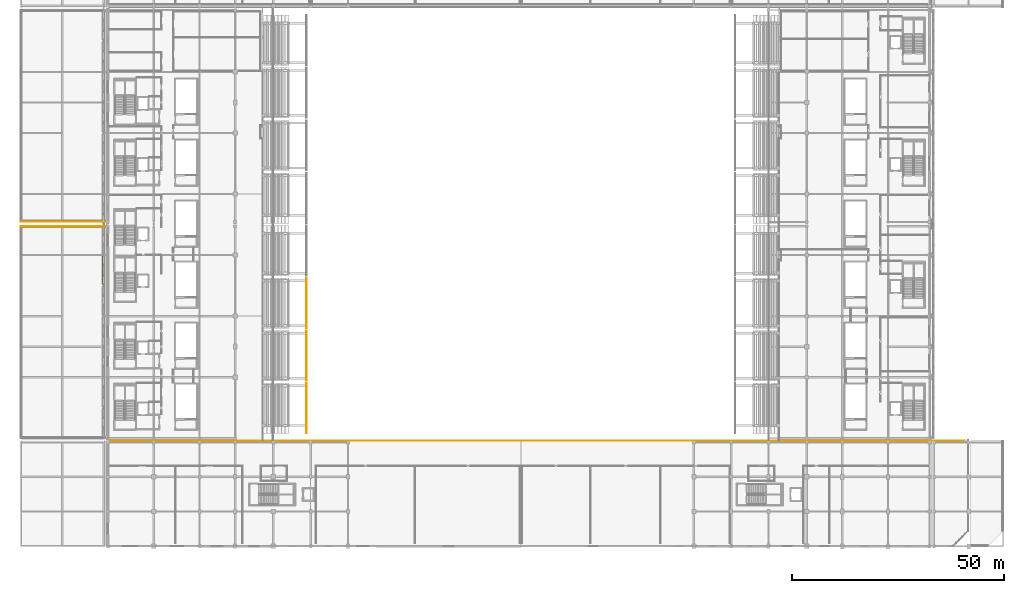
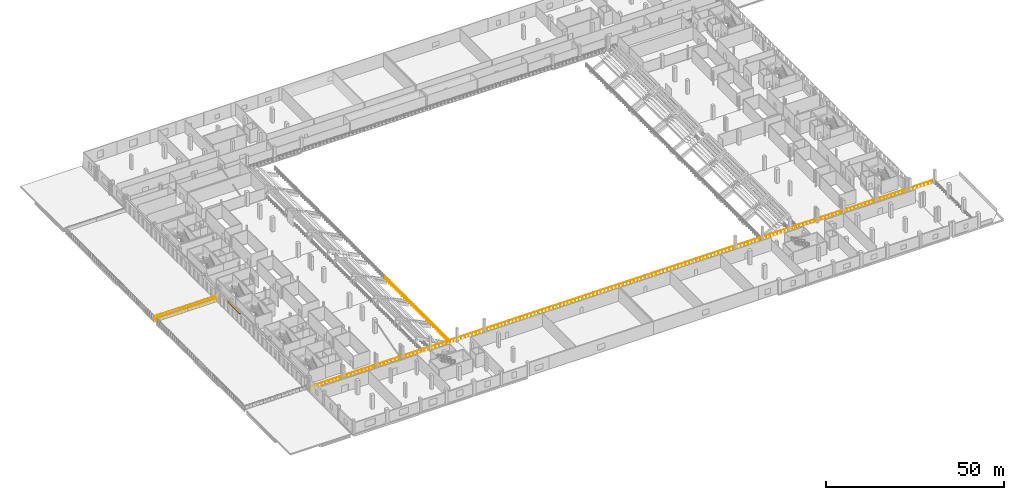
# One storey, part 57 of 74: 6 railings, 1 shading device.
"""IFC4 building model written with IfcOpenShell, lengths in metres."""

from ifc_helpers import new_model, si_unit, direction, frame, origin, origin_2d, place, context, subcontext, project, spatial, rectangle, circle, extrude, material, type_object, element, save


model = new_model("IFC4")

# Units and contexts
model_context = context("Model", 3, precision=1e-05, world=origin(), true_north=direction((0.0, 1.0)))
body_context = subcontext(model_context, "Body", "Model", "MODEL_VIEW")
ifc_project = project(units=[si_unit("LENGTHUNIT", "METRE"), si_unit("AREAUNIT", "SQUARE_METRE"), si_unit("VOLUMEUNIT", "CUBIC_METRE"), si_unit("PLANEANGLEUNIT", "RADIAN"), si_unit("MASSUNIT", "GRAM", prefix="KILO")], contexts=[model_context])

# Site, building, storey
site_placement = place(None, origin())
site = spatial("IfcSite", under=ifc_project, at=site_placement, CompositionType="ELEMENT")
building_placement = place(site_placement, origin())
building = spatial("IfcBuilding", under=site, at=building_placement, Name="Koshinbarg Plaza Stadium", CompositionType="ELEMENT")
storey_placement = place(building_placement, frame((0.0, 0.0, 15.0)))
storey = spatial("IfcBuildingStorey", under=building, at=storey_placement, Name="L03", CompositionType="ELEMENT", Elevation=15.0)

# Railings
ifc_material_1 = material(Name="Toughened laminated glass and stainless steel sightline balustrade", Category="steel")
railing_type_1 = type_object("IfcRailingType", Name="RL-BOWL-1100", PredefinedType="BALUSTRADE", material=ifc_material_1)
railing_1_placement = place(storey_placement, frame((25.0, 24.8798828125, 0.0)))
element("IfcRailing", 1, at=railing_1_placement, inside=storey, type_object=railing_type_1, Name="L03 bowl concourse sightline balustrade 0025", PredefinedType="BALUSTRADE", context=body_context, shape_type="SweptSolid", body=[
    extrude(circle(Radius=0.02392578125, at=origin_2d()), frame((0.0, 0.0, 1.076171875), z_axis=(1.0, 0.0, 0.0), x_axis=(0.0, 1.0, 0.0)), (0.0, 0.0, 1.0), 201.800048828125),
    extrude(circle(Radius=0.02099609375, at=origin_2d()), origin(), (0.0, 0.0, 1.0), 1.052001953125),
    extrude(circle(Radius=0.02099609375, at=origin_2d()), frame((1.194091796875, 0.0, 0.0)), (0.0, 0.0, 1.0), 1.052001953125),
    extrude(circle(Radius=0.02099609375, at=origin_2d()), frame((2.38818359375, 0.0, 0.0)), (0.0, 0.0, 1.0), 1.052001953125),
    extrude(circle(Radius=0.02099609375, at=origin_2d()), frame((3.582275390625, 0.0, 0.0)), (0.0, 0.0, 1.0), 1.052001953125),
    extrude(circle(Radius=0.02099609375, at=origin_2d()), frame((4.7763671875, 0.0, 0.0)), (0.0, 0.0, 1.0), 1.052001953125),
    extrude(circle(Radius=0.02099609375, at=origin_2d()), frame((5.970458984375, 0.0, 0.0)), (0.0, 0.0, 1.0), 1.052001953125),
    extrude(circle(Radius=0.02099609375, at=origin_2d()), frame((7.16455078125, 0.0, 0.0)), (0.0, 0.0, 1.0), 1.052001953125),
    extrude(circle(Radius=0.02099609375, at=origin_2d()), frame((8.358642578125, 0.0, 0.0)), (0.0, 0.0, 1.0), 1.052001953125),
    extrude(circle(Radius=0.02099609375, at=origin_2d()), frame((9.552734375, 0.0, 0.0)), (0.0, 0.0, 1.0), 1.052001953125),
    extrude(circle(Radius=0.02099609375, at=origin_2d()), frame((10.746826171875, 0.0, 0.0)), (0.0, 0.0, 1.0), 1.052001953125),
    extrude(circle(Radius=0.02099609375, at=origin_2d()), frame((11.94091796875, 0.0, 0.0)), (0.0, 0.0, 1.0), 1.052001953125),
    extrude(circle(Radius=0.02099609375, at=origin_2d()), frame((13.135009765625, 0.0, 0.0)), (0.0, 0.0, 1.0), 1.052001953125),
    extrude(circle(Radius=0.02099609375, at=origin_2d()), frame((14.3291015625, 0.0, 0.0)), (0.0, 0.0, 1.0), 1.052001953125),
    extrude(circle(Radius=0.02099609375, at=origin_2d()), frame((15.523193359375, 0.0, 0.0)), (0.0, 0.0, 1.0), 1.052001953125),
    extrude(circle(Radius=0.02099609375, at=origin_2d()), frame((16.71728515625, 0.0, 0.0)), (0.0, 0.0, 1.0), 1.052001953125),
    extrude(circle(Radius=0.02099609375, at=origin_2d()), frame((17.9111328125, 0.0, 0.0)), (0.0, 0.0, 1.0), 1.052001953125),
    extrude(circle(Radius=0.02099609375, at=origin_2d()), frame((19.105224609375, 0.0, 0.0)), (0.0, 0.0, 1.0), 1.052001953125),
    extrude(circle(Radius=0.02099609375, at=origin_2d()), frame((20.29931640625, 0.0, 0.0)), (0.0, 0.0, 1.0), 1.052001953125),
    extrude(circle(Radius=0.02099609375, at=origin_2d()), frame((21.493408203125, 0.0, 0.0)), (0.0, 0.0, 1.0), 1.052001953125),
    extrude(circle(Radius=0.02099609375, at=origin_2d()), frame((22.6875, 0.0, 0.0)), (0.0, 0.0, 1.0), 1.052001953125),
    extrude(circle(Radius=0.02099609375, at=origin_2d()), frame((23.881591796875, 0.0, 0.0)), (0.0, 0.0, 1.0), 1.052001953125),
    extrude(circle(Radius=0.02099609375, at=origin_2d()), frame((25.07568359375, 0.0, 0.0)), (0.0, 0.0, 1.0), 1.052001953125),
    extrude(circle(Radius=0.02099609375, at=origin_2d()), frame((26.269775390625, 0.0, 0.0)), (0.0, 0.0, 1.0), 1.052001953125),
    extrude(circle(Radius=0.02099609375, at=origin_2d()), frame((27.4638671875, 0.0, 0.0)), (0.0, 0.0, 1.0), 1.052001953125),
    extrude(circle(Radius=0.02099609375, at=origin_2d()), frame((28.657958984375, 0.0, 0.0)), (0.0, 0.0, 1.0), 1.052001953125),
    extrude(circle(Radius=0.02099609375, at=origin_2d()), frame((29.85205078125, 0.0, 0.0)), (0.0, 0.0, 1.0), 1.052001953125),
    extrude(circle(Radius=0.02099609375, at=origin_2d()), frame((31.046142578125, 0.0, 0.0)), (0.0, 0.0, 1.0), 1.052001953125),
    extrude(circle(Radius=0.02099609375, at=origin_2d()), frame((32.240234375, 0.0, 0.0)), (0.0, 0.0, 1.0), 1.052001953125),
    extrude(circle(Radius=0.02099609375, at=origin_2d()), frame((33.434326171875, 0.0, 0.0)), (0.0, 0.0, 1.0), 1.052001953125),
    extrude(circle(Radius=0.02099609375, at=origin_2d()), frame((34.62841796875, 0.0, 0.0)), (0.0, 0.0, 1.0), 1.052001953125),
    extrude(circle(Radius=0.02099609375, at=origin_2d()), frame((35.822509765625, 0.0, 0.0)), (0.0, 0.0, 1.0), 1.052001953125),
    extrude(circle(Radius=0.02099609375, at=origin_2d()), frame((37.0166015625, 0.0, 0.0)), (0.0, 0.0, 1.0), 1.052001953125),
    extrude(circle(Radius=0.02099609375, at=origin_2d()), frame((38.210693359375, 0.0, 0.0)), (0.0, 0.0, 1.0), 1.052001953125),
    extrude(circle(Radius=0.02099609375, at=origin_2d()), frame((39.40478515625, 0.0, 0.0)), (0.0, 0.0, 1.0), 1.052001953125),
    extrude(circle(Radius=0.02099609375, at=origin_2d()), frame((40.598876953125, 0.0, 0.0)), (0.0, 0.0, 1.0), 1.052001953125),
    extrude(circle(Radius=0.02099609375, at=origin_2d()), frame((41.79296875, 0.0, 0.0)), (0.0, 0.0, 1.0), 1.052001953125),
    extrude(circle(Radius=0.02099609375, at=origin_2d()), frame((42.987060546875, 0.0, 0.0)), (0.0, 0.0, 1.0), 1.052001953125),
    extrude(circle(Radius=0.02099609375, at=origin_2d()), frame((44.18115234375, 0.0, 0.0)), (0.0, 0.0, 1.0), 1.052001953125),
    extrude(circle(Radius=0.02099609375, at=origin_2d()), frame((45.375244140625, 0.0, 0.0)), (0.0, 0.0, 1.0), 1.052001953125),
    extrude(circle(Radius=0.02099609375, at=origin_2d()), frame((46.5693359375, 0.0, 0.0)), (0.0, 0.0, 1.0), 1.052001953125),
    extrude(circle(Radius=0.02099609375, at=origin_2d()), frame((47.763427734375, 0.0, 0.0)), (0.0, 0.0, 1.0), 1.052001953125),
    extrude(circle(Radius=0.02099609375, at=origin_2d()), frame((48.95751953125, 0.0, 0.0)), (0.0, 0.0, 1.0), 1.052001953125),
    extrude(circle(Radius=0.02099609375, at=origin_2d()), frame((50.151611328125, 0.0, 0.0)), (0.0, 0.0, 1.0), 1.052001953125),
    extrude(circle(Radius=0.02099609375, at=origin_2d()), frame((51.345458984375, 0.0, 0.0)), (0.0, 0.0, 1.0), 1.052001953125),
    extrude(circle(Radius=0.02099609375, at=origin_2d()), frame((52.53955078125, 0.0, 0.0)), (0.0, 0.0, 1.0), 1.052001953125),
    extrude(circle(Radius=0.02099609375, at=origin_2d()), frame((53.733642578125, 0.0, 0.0)), (0.0, 0.0, 1.0), 1.052001953125),
    extrude(circle(Radius=0.02099609375, at=origin_2d()), frame((54.927734375, 0.0, 0.0)), (0.0, 0.0, 1.0), 1.052001953125),
    extrude(circle(Radius=0.02099609375, at=origin_2d()), frame((56.121826171875, 0.0, 0.0)), (0.0, 0.0, 1.0), 1.052001953125),
    extrude(circle(Radius=0.02099609375, at=origin_2d()), frame((57.31591796875, 0.0, 0.0)), (0.0, 0.0, 1.0), 1.052001953125),
    extrude(circle(Radius=0.02099609375, at=origin_2d()), frame((58.510009765625, 0.0, 0.0)), (0.0, 0.0, 1.0), 1.052001953125),
    extrude(circle(Radius=0.02099609375, at=origin_2d()), frame((59.7041015625, 0.0, 0.0)), (0.0, 0.0, 1.0), 1.052001953125),
    extrude(circle(Radius=0.02099609375, at=origin_2d()), frame((60.898193359375, 0.0, 0.0)), (0.0, 0.0, 1.0), 1.052001953125),
    extrude(circle(Radius=0.02099609375, at=origin_2d()), frame((62.09228515625, 0.0, 0.0)), (0.0, 0.0, 1.0), 1.052001953125),
    extrude(circle(Radius=0.02099609375, at=origin_2d()), frame((63.286376953125, 0.0, 0.0)), (0.0, 0.0, 1.0), 1.052001953125),
    extrude(circle(Radius=0.02099609375, at=origin_2d()), frame((64.48046875, 0.0, 0.0)), (0.0, 0.0, 1.0), 1.052001953125),
    extrude(circle(Radius=0.02099609375, at=origin_2d()), frame((65.674560546875, 0.0, 0.0)), (0.0, 0.0, 1.0), 1.052001953125),
    extrude(circle(Radius=0.02099609375, at=origin_2d()), frame((66.86865234375, 0.0, 0.0)), (0.0, 0.0, 1.0), 1.052001953125),
    extrude(circle(Radius=0.02099609375, at=origin_2d()), frame((68.062744140625, 0.0, 0.0)), (0.0, 0.0, 1.0), 1.052001953125),
    extrude(circle(Radius=0.02099609375, at=origin_2d()), frame((69.2568359375, 0.0, 0.0)), (0.0, 0.0, 1.0), 1.052001953125),
    extrude(circle(Radius=0.02099609375, at=origin_2d()), frame((70.450927734375, 0.0, 0.0)), (0.0, 0.0, 1.0), 1.052001953125),
    extrude(circle(Radius=0.02099609375, at=origin_2d()), frame((71.64501953125, 0.0, 0.0)), (0.0, 0.0, 1.0), 1.052001953125),
    extrude(circle(Radius=0.02099609375, at=origin_2d()), frame((72.839111328125, 0.0, 0.0)), (0.0, 0.0, 1.0), 1.052001953125),
    extrude(circle(Radius=0.02099609375, at=origin_2d()), frame((74.033203125, 0.0, 0.0)), (0.0, 0.0, 1.0), 1.052001953125),
    extrude(circle(Radius=0.02099609375, at=origin_2d()), frame((75.227294921875, 0.0, 0.0)), (0.0, 0.0, 1.0), 1.052001953125),
    extrude(circle(Radius=0.02099609375, at=origin_2d()), frame((76.42138671875, 0.0, 0.0)), (0.0, 0.0, 1.0), 1.052001953125),
    extrude(circle(Radius=0.02099609375, at=origin_2d()), frame((77.615478515625, 0.0, 0.0)), (0.0, 0.0, 1.0), 1.052001953125),
    extrude(circle(Radius=0.02099609375, at=origin_2d()), frame((78.8095703125, 0.0, 0.0)), (0.0, 0.0, 1.0), 1.052001953125),
    extrude(circle(Radius=0.02099609375, at=origin_2d()), frame((80.003662109375, 0.0, 0.0)), (0.0, 0.0, 1.0), 1.052001953125),
    extrude(circle(Radius=0.02099609375, at=origin_2d()), frame((81.19775390625, 0.0, 0.0)), (0.0, 0.0, 1.0), 1.052001953125),
    extrude(circle(Radius=0.02099609375, at=origin_2d()), frame((82.391845703125, 0.0, 0.0)), (0.0, 0.0, 1.0), 1.052001953125),
    extrude(circle(Radius=0.02099609375, at=origin_2d()), frame((83.5859375, 0.0, 0.0)), (0.0, 0.0, 1.0), 1.052001953125),
    extrude(circle(Radius=0.02099609375, at=origin_2d()), frame((84.77978515625, 0.0, 0.0)), (0.0, 0.0, 1.0), 1.052001953125),
    extrude(circle(Radius=0.02099609375, at=origin_2d()), frame((85.973876953125, 0.0, 0.0)), (0.0, 0.0, 1.0), 1.052001953125),
    extrude(circle(Radius=0.02099609375, at=origin_2d()), frame((87.16796875, 0.0, 0.0)), (0.0, 0.0, 1.0), 1.052001953125),
    extrude(circle(Radius=0.02099609375, at=origin_2d()), frame((88.362060546875, 0.0, 0.0)), (0.0, 0.0, 1.0), 1.052001953125),
    extrude(circle(Radius=0.02099609375, at=origin_2d()), frame((89.55615234375, 0.0, 0.0)), (0.0, 0.0, 1.0), 1.052001953125),
    extrude(circle(Radius=0.02099609375, at=origin_2d()), frame((90.750244140625, 0.0, 0.0)), (0.0, 0.0, 1.0), 1.052001953125),
    extrude(circle(Radius=0.02099609375, at=origin_2d()), frame((91.9443359375, 0.0, 0.0)), (0.0, 0.0, 1.0), 1.052001953125),
    extrude(circle(Radius=0.02099609375, at=origin_2d()), frame((93.138427734375, 0.0, 0.0)), (0.0, 0.0, 1.0), 1.052001953125),
    extrude(circle(Radius=0.02099609375, at=origin_2d()), frame((94.33251953125, 0.0, 0.0)), (0.0, 0.0, 1.0), 1.052001953125),
    extrude(circle(Radius=0.02099609375, at=origin_2d()), frame((95.526611328125, 0.0, 0.0)), (0.0, 0.0, 1.0), 1.052001953125),
    extrude(circle(Radius=0.02099609375, at=origin_2d()), frame((96.720703125, 0.0, 0.0)), (0.0, 0.0, 1.0), 1.052001953125),
    extrude(circle(Radius=0.02099609375, at=origin_2d()), frame((97.914794921875, 0.0, 0.0)), (0.0, 0.0, 1.0), 1.052001953125),
    extrude(circle(Radius=0.02099609375, at=origin_2d()), frame((99.10888671875, 0.0, 0.0)), (0.0, 0.0, 1.0), 1.052001953125),
    extrude(circle(Radius=0.02099609375, at=origin_2d()), frame((100.302978515625, 0.0, 0.0)), (0.0, 0.0, 1.0), 1.052001953125),
    extrude(circle(Radius=0.02099609375, at=origin_2d()), frame((101.4970703125, 0.0, 0.0)), (0.0, 0.0, 1.0), 1.052001953125),
    extrude(circle(Radius=0.02099609375, at=origin_2d()), frame((102.691162109375, 0.0, 0.0)), (0.0, 0.0, 1.0), 1.052001953125),
    extrude(circle(Radius=0.02099609375, at=origin_2d()), frame((103.88525390625, 0.0, 0.0)), (0.0, 0.0, 1.0), 1.052001953125),
    extrude(circle(Radius=0.02099609375, at=origin_2d()), frame((105.079345703125, 0.0, 0.0)), (0.0, 0.0, 1.0), 1.052001953125),
    extrude(circle(Radius=0.02099609375, at=origin_2d()), frame((106.2734375, 0.0, 0.0)), (0.0, 0.0, 1.0), 1.052001953125),
    extrude(circle(Radius=0.02099609375, at=origin_2d()), frame((107.467529296875, 0.0, 0.0)), (0.0, 0.0, 1.0), 1.052001953125),
    extrude(circle(Radius=0.02099609375, at=origin_2d()), frame((108.66162109375, 0.0, 0.0)), (0.0, 0.0, 1.0), 1.052001953125),
    extrude(circle(Radius=0.02099609375, at=origin_2d()), frame((109.855712890625, 0.0, 0.0)), (0.0, 0.0, 1.0), 1.052001953125),
    extrude(circle(Radius=0.02099609375, at=origin_2d()), frame((111.0498046875, 0.0, 0.0)), (0.0, 0.0, 1.0), 1.052001953125),
    extrude(circle(Radius=0.02099609375, at=origin_2d()), frame((112.243896484375, 0.0, 0.0)), (0.0, 0.0, 1.0), 1.052001953125),
    extrude(circle(Radius=0.02099609375, at=origin_2d()), frame((113.43798828125, 0.0, 0.0)), (0.0, 0.0, 1.0), 1.052001953125),
    extrude(circle(Radius=0.02099609375, at=origin_2d()), frame((114.632080078125, 0.0, 0.0)), (0.0, 0.0, 1.0), 1.052001953125),
    extrude(circle(Radius=0.02099609375, at=origin_2d()), frame((115.826171875, 0.0, 0.0)), (0.0, 0.0, 1.0), 1.052001953125),
    extrude(circle(Radius=0.02099609375, at=origin_2d()), frame((117.020263671875, 0.0, 0.0)), (0.0, 0.0, 1.0), 1.052001953125),
    extrude(circle(Radius=0.02099609375, at=origin_2d()), frame((118.214111328125, 0.0, 0.0)), (0.0, 0.0, 1.0), 1.052001953125),
    extrude(circle(Radius=0.02099609375, at=origin_2d()), frame((119.408203125, 0.0, 0.0)), (0.0, 0.0, 1.0), 1.052001953125),
    extrude(circle(Radius=0.02099609375, at=origin_2d()), frame((120.602294921875, 0.0, 0.0)), (0.0, 0.0, 1.0), 1.052001953125),
    extrude(circle(Radius=0.02099609375, at=origin_2d()), frame((121.79638671875, 0.0, 0.0)), (0.0, 0.0, 1.0), 1.052001953125),
    extrude(circle(Radius=0.02099609375, at=origin_2d()), frame((122.990478515625, 0.0, 0.0)), (0.0, 0.0, 1.0), 1.052001953125),
    extrude(circle(Radius=0.02099609375, at=origin_2d()), frame((124.1845703125, 0.0, 0.0)), (0.0, 0.0, 1.0), 1.052001953125),
    extrude(circle(Radius=0.02099609375, at=origin_2d()), frame((125.378662109375, 0.0, 0.0)), (0.0, 0.0, 1.0), 1.052001953125),
    extrude(circle(Radius=0.02099609375, at=origin_2d()), frame((126.57275390625, 0.0, 0.0)), (0.0, 0.0, 1.0), 1.052001953125),
    extrude(circle(Radius=0.02099609375, at=origin_2d()), frame((127.766845703125, 0.0, 0.0)), (0.0, 0.0, 1.0), 1.052001953125),
    extrude(circle(Radius=0.02099609375, at=origin_2d()), frame((128.9609375, 0.0, 0.0)), (0.0, 0.0, 1.0), 1.052001953125),
    extrude(circle(Radius=0.02099609375, at=origin_2d()), frame((130.155029296875, 0.0, 0.0)), (0.0, 0.0, 1.0), 1.052001953125),
    extrude(circle(Radius=0.02099609375, at=origin_2d()), frame((131.34912109375, 0.0, 0.0)), (0.0, 0.0, 1.0), 1.052001953125),
    extrude(circle(Radius=0.02099609375, at=origin_2d()), frame((132.543212890625, 0.0, 0.0)), (0.0, 0.0, 1.0), 1.052001953125),
    extrude(circle(Radius=0.02099609375, at=origin_2d()), frame((133.7373046875, 0.0, 0.0)), (0.0, 0.0, 1.0), 1.052001953125),
    extrude(circle(Radius=0.02099609375, at=origin_2d()), frame((134.931396484375, 0.0, 0.0)), (0.0, 0.0, 1.0), 1.052001953125),
    extrude(circle(Radius=0.02099609375, at=origin_2d()), frame((136.12548828125, 0.0, 0.0)), (0.0, 0.0, 1.0), 1.052001953125),
    extrude(circle(Radius=0.02099609375, at=origin_2d()), frame((137.319580078125, 0.0, 0.0)), (0.0, 0.0, 1.0), 1.052001953125),
    extrude(circle(Radius=0.02099609375, at=origin_2d()), frame((138.513671875, 0.0, 0.0)), (0.0, 0.0, 1.0), 1.052001953125),
    extrude(circle(Radius=0.02099609375, at=origin_2d()), frame((139.707763671875, 0.0, 0.0)), (0.0, 0.0, 1.0), 1.052001953125),
    extrude(circle(Radius=0.02099609375, at=origin_2d()), frame((140.90185546875, 0.0, 0.0)), (0.0, 0.0, 1.0), 1.052001953125),
    extrude(circle(Radius=0.02099609375, at=origin_2d()), frame((142.095947265625, 0.0, 0.0)), (0.0, 0.0, 1.0), 1.052001953125),
    extrude(circle(Radius=0.02099609375, at=origin_2d()), frame((143.2900390625, 0.0, 0.0)), (0.0, 0.0, 1.0), 1.052001953125),
    extrude(circle(Radius=0.02099609375, at=origin_2d()), frame((144.484130859375, 0.0, 0.0)), (0.0, 0.0, 1.0), 1.052001953125),
    extrude(circle(Radius=0.02099609375, at=origin_2d()), frame((145.67822265625, 0.0, 0.0)), (0.0, 0.0, 1.0), 1.052001953125),
    extrude(circle(Radius=0.02099609375, at=origin_2d()), frame((146.872314453125, 0.0, 0.0)), (0.0, 0.0, 1.0), 1.052001953125),
    extrude(circle(Radius=0.02099609375, at=origin_2d()), frame((148.06640625, 0.0, 0.0)), (0.0, 0.0, 1.0), 1.052001953125),
    extrude(circle(Radius=0.02099609375, at=origin_2d()), frame((149.260498046875, 0.0, 0.0)), (0.0, 0.0, 1.0), 1.052001953125),
    extrude(circle(Radius=0.02099609375, at=origin_2d()), frame((150.45458984375, 0.0, 0.0)), (0.0, 0.0, 1.0), 1.052001953125),
    extrude(circle(Radius=0.02099609375, at=origin_2d()), frame((151.6484375, 0.0, 0.0)), (0.0, 0.0, 1.0), 1.052001953125),
    extrude(circle(Radius=0.02099609375, at=origin_2d()), frame((152.842529296875, 0.0, 0.0)), (0.0, 0.0, 1.0), 1.052001953125),
    extrude(circle(Radius=0.02099609375, at=origin_2d()), frame((154.03662109375, 0.0, 0.0)), (0.0, 0.0, 1.0), 1.052001953125),
    extrude(circle(Radius=0.02099609375, at=origin_2d()), frame((155.230712890625, 0.0, 0.0)), (0.0, 0.0, 1.0), 1.052001953125),
    extrude(circle(Radius=0.02099609375, at=origin_2d()), frame((156.4248046875, 0.0, 0.0)), (0.0, 0.0, 1.0), 1.052001953125),
    extrude(circle(Radius=0.02099609375, at=origin_2d()), frame((157.618896484375, 0.0, 0.0)), (0.0, 0.0, 1.0), 1.052001953125),
    extrude(circle(Radius=0.02099609375, at=origin_2d()), frame((158.81298828125, 0.0, 0.0)), (0.0, 0.0, 1.0), 1.052001953125),
    extrude(circle(Radius=0.02099609375, at=origin_2d()), frame((160.007080078125, 0.0, 0.0)), (0.0, 0.0, 1.0), 1.052001953125),
    extrude(circle(Radius=0.02099609375, at=origin_2d()), frame((161.201171875, 0.0, 0.0)), (0.0, 0.0, 1.0), 1.052001953125),
    extrude(circle(Radius=0.02099609375, at=origin_2d()), frame((162.395263671875, 0.0, 0.0)), (0.0, 0.0, 1.0), 1.052001953125),
    extrude(circle(Radius=0.02099609375, at=origin_2d()), frame((163.58935546875, 0.0, 0.0)), (0.0, 0.0, 1.0), 1.052001953125),
    extrude(circle(Radius=0.02099609375, at=origin_2d()), frame((164.783447265625, 0.0, 0.0)), (0.0, 0.0, 1.0), 1.052001953125),
    extrude(circle(Radius=0.02099609375, at=origin_2d()), frame((165.9775390625, 0.0, 0.0)), (0.0, 0.0, 1.0), 1.052001953125),
    extrude(circle(Radius=0.02099609375, at=origin_2d()), frame((167.171630859375, 0.0, 0.0)), (0.0, 0.0, 1.0), 1.052001953125),
    extrude(circle(Radius=0.02099609375, at=origin_2d()), frame((168.36572265625, 0.0, 0.0)), (0.0, 0.0, 1.0), 1.052001953125),
    extrude(circle(Radius=0.02099609375, at=origin_2d()), frame((169.559814453125, 0.0, 0.0)), (0.0, 0.0, 1.0), 1.052001953125),
    extrude(circle(Radius=0.02099609375, at=origin_2d()), frame((170.75390625, 0.0, 0.0)), (0.0, 0.0, 1.0), 1.052001953125),
    extrude(circle(Radius=0.02099609375, at=origin_2d()), frame((171.947998046875, 0.0, 0.0)), (0.0, 0.0, 1.0), 1.052001953125),
    extrude(circle(Radius=0.02099609375, at=origin_2d()), frame((173.14208984375, 0.0, 0.0)), (0.0, 0.0, 1.0), 1.052001953125),
    extrude(circle(Radius=0.02099609375, at=origin_2d()), frame((174.336181640625, 0.0, 0.0)), (0.0, 0.0, 1.0), 1.052001953125),
    extrude(circle(Radius=0.02099609375, at=origin_2d()), frame((175.5302734375, 0.0, 0.0)), (0.0, 0.0, 1.0), 1.052001953125),
    extrude(circle(Radius=0.02099609375, at=origin_2d()), frame((176.724365234375, 0.0, 0.0)), (0.0, 0.0, 1.0), 1.052001953125),
    extrude(circle(Radius=0.02099609375, at=origin_2d()), frame((177.91845703125, 0.0, 0.0)), (0.0, 0.0, 1.0), 1.052001953125),
    extrude(circle(Radius=0.02099609375, at=origin_2d()), frame((179.112548828125, 0.0, 0.0)), (0.0, 0.0, 1.0), 1.052001953125),
    extrude(circle(Radius=0.02099609375, at=origin_2d()), frame((180.306640625, 0.0, 0.0)), (0.0, 0.0, 1.0), 1.052001953125),
    extrude(circle(Radius=0.02099609375, at=origin_2d()), frame((181.500732421875, 0.0, 0.0)), (0.0, 0.0, 1.0), 1.052001953125),
    extrude(circle(Radius=0.02099609375, at=origin_2d()), frame((182.69482421875, 0.0, 0.0)), (0.0, 0.0, 1.0), 1.052001953125),
    extrude(circle(Radius=0.02099609375, at=origin_2d()), frame((183.888916015625, 0.0, 0.0)), (0.0, 0.0, 1.0), 1.052001953125),
    extrude(circle(Radius=0.02099609375, at=origin_2d()), frame((185.082763671875, 0.0, 0.0)), (0.0, 0.0, 1.0), 1.052001953125),
    extrude(circle(Radius=0.02099609375, at=origin_2d()), frame((186.27685546875, 0.0, 0.0)), (0.0, 0.0, 1.0), 1.052001953125),
    extrude(circle(Radius=0.02099609375, at=origin_2d()), frame((187.470947265625, 0.0, 0.0)), (0.0, 0.0, 1.0), 1.052001953125),
    extrude(circle(Radius=0.02099609375, at=origin_2d()), frame((188.6650390625, 0.0, 0.0)), (0.0, 0.0, 1.0), 1.052001953125),
    extrude(circle(Radius=0.02099609375, at=origin_2d()), frame((189.859130859375, 0.0, 0.0)), (0.0, 0.0, 1.0), 1.052001953125),
    extrude(circle(Radius=0.02099609375, at=origin_2d()), frame((191.05322265625, 0.0, 0.0)), (0.0, 0.0, 1.0), 1.052001953125),
    extrude(circle(Radius=0.02099609375, at=origin_2d()), frame((192.247314453125, 0.0, 0.0)), (0.0, 0.0, 1.0), 1.052001953125),
    extrude(circle(Radius=0.02099609375, at=origin_2d()), frame((193.44140625, 0.0, 0.0)), (0.0, 0.0, 1.0), 1.052001953125),
    extrude(circle(Radius=0.02099609375, at=origin_2d()), frame((194.635498046875, 0.0, 0.0)), (0.0, 0.0, 1.0), 1.052001953125),
    extrude(circle(Radius=0.02099609375, at=origin_2d()), frame((195.82958984375, 0.0, 0.0)), (0.0, 0.0, 1.0), 1.052001953125),
    extrude(circle(Radius=0.02099609375, at=origin_2d()), frame((197.023681640625, 0.0, 0.0)), (0.0, 0.0, 1.0), 1.052001953125),
    extrude(circle(Radius=0.02099609375, at=origin_2d()), frame((198.2177734375, 0.0, 0.0)), (0.0, 0.0, 1.0), 1.052001953125),
    extrude(circle(Radius=0.02099609375, at=origin_2d()), frame((199.411865234375, 0.0, 0.0)), (0.0, 0.0, 1.0), 1.052001953125),
    extrude(circle(Radius=0.02099609375, at=origin_2d()), frame((200.60595703125, 0.0, 0.0)), (0.0, 0.0, 1.0), 1.052001953125),
    extrude(circle(Radius=0.02099609375, at=origin_2d()), frame((201.800048828125, 0.0, 0.0)), (0.0, 0.0, 1.0), 1.052001953125),
])
for number, where, name in (
    (2, (71.419921875, 26.679931640625, -1.780029296875), "UT-W01 front stand crowd barrier"),
    (3, (71.419921875, 39.080078125, -1.780029296875), "UT-W02 front stand crowd barrier"),
    (4, (71.419921875, 51.47998046875, -1.780029296875), "UT-W03 front stand crowd barrier"),
):
    element("IfcRailing", number, at=place(storey_placement, frame(where)), inside=storey, type_object=railing_type_1, Name=name, PredefinedType="BALUSTRADE", context=body_context, shape_type="SweptSolid", body=[
        extrude(circle(Radius=0.02392578125, at=origin_2d()), frame((0.0, 0.0, 1.076171875), z_axis=(0.0, 1.0, 0.0), x_axis=(-1.0, 0.0, 0.0)), (0.0, 0.0, 1.0), 11.739990234375),
        extrude(circle(Radius=0.02099609375, at=origin_2d()), origin(), (0.0, 0.0, 1.0), 1.052001953125),
        extrude(circle(Radius=0.02099609375, at=origin_2d()), frame((0.0, 1.174072265625, 0.0)), (0.0, 0.0, 1.0), 1.052001953125),
        extrude(circle(Radius=0.02099609375, at=origin_2d()), frame((0.0, 2.347900390625, 0.0)), (0.0, 0.0, 1.0), 1.052001953125),
        extrude(circle(Radius=0.02099609375, at=origin_2d()), frame((0.0, 3.52197265625, 0.0)), (0.0, 0.0, 1.0), 1.052001953125),
        extrude(circle(Radius=0.02099609375, at=origin_2d()), frame((0.0, 4.696044921875, 0.0)), (0.0, 0.0, 1.0), 1.052001953125),
        extrude(circle(Radius=0.02099609375, at=origin_2d()), frame((0.0, 5.8701171875, 0.0)), (0.0, 0.0, 1.0), 1.052001953125),
        extrude(circle(Radius=0.02099609375, at=origin_2d()), frame((0.0, 7.0439453125, 0.0)), (0.0, 0.0, 1.0), 1.052001953125),
        extrude(circle(Radius=0.02099609375, at=origin_2d()), frame((0.0, 8.218017578125, 0.0)), (0.0, 0.0, 1.0), 1.052001953125),
        extrude(circle(Radius=0.02099609375, at=origin_2d()), frame((0.0, 9.39208984375, 0.0)), (0.0, 0.0, 1.0), 1.052001953125),
        extrude(circle(Radius=0.02099609375, at=origin_2d()), frame((0.0, 10.56591796875, 0.0)), (0.0, 0.0, 1.0), 1.052001953125),
        extrude(circle(Radius=0.02099609375, at=origin_2d()), frame((0.0, 11.739990234375, 0.0)), (0.0, 0.0, 1.0), 1.052001953125),
    ])
ifc_material_2 = material(Name="Galvanized painted steel guardrail", Category="steel")
railing_type_2 = type_object("IfcRailingType", Name="RL-GUARD-1100", PredefinedType="GUARDRAIL", material=ifc_material_2)
railing_2_placement = place(storey_placement, frame((4.080078125, 76.580078125, 0.0)))
element("IfcRailing", 5, at=railing_2_placement, inside=storey, type_object=railing_type_2, Name="L03 roof garden RG-L03-NW guard 0001", PredefinedType="GUARDRAIL", context=body_context, shape_type="SweptSolid", body=[
    extrude(circle(Radius=0.02392578125, at=origin_2d()), frame((0.0, 0.0, 1.076171875), z_axis=(1.0, 0.0, 0.0), x_axis=(0.0, 1.0, 0.0)), (0.0, 0.0, 1.0), 19.89501953125),
    extrude(circle(Radius=0.02099609375, at=origin_2d()), origin(), (0.0, 0.0, 1.0), 1.052001953125),
    extrude(circle(Radius=0.02099609375, at=origin_2d()), frame((1.17041015625, 0.0, 0.0)), (0.0, 0.0, 1.0), 1.052001953125),
    extrude(circle(Radius=0.02099609375, at=origin_2d()), frame((2.340576171875, 0.0, 0.0)), (0.0, 0.0, 1.0), 1.052001953125),
    extrude(circle(Radius=0.02099609375, at=origin_2d()), frame((3.510986328125, 0.0, 0.0)), (0.0, 0.0, 1.0), 1.052001953125),
    extrude(circle(Radius=0.02099609375, at=origin_2d()), frame((4.68115234375, 0.0, 0.0)), (0.0, 0.0, 1.0), 1.052001953125),
    extrude(circle(Radius=0.02099609375, at=origin_2d()), frame((5.8515625, 0.0, 0.0)), (0.0, 0.0, 1.0), 1.052001953125),
    extrude(circle(Radius=0.02099609375, at=origin_2d()), frame((7.021728515625, 0.0, 0.0)), (0.0, 0.0, 1.0), 1.052001953125),
    extrude(circle(Radius=0.02099609375, at=origin_2d()), frame((8.192138671875, 0.0, 0.0)), (0.0, 0.0, 1.0), 1.052001953125),
    extrude(circle(Radius=0.02099609375, at=origin_2d()), frame((9.3623046875, 0.0, 0.0)), (0.0, 0.0, 1.0), 1.052001953125),
    extrude(circle(Radius=0.02099609375, at=origin_2d()), frame((10.53271484375, 0.0, 0.0)), (0.0, 0.0, 1.0), 1.052001953125),
    extrude(circle(Radius=0.02099609375, at=origin_2d()), frame((11.702880859375, 0.0, 0.0)), (0.0, 0.0, 1.0), 1.052001953125),
    extrude(circle(Radius=0.02099609375, at=origin_2d()), frame((12.873291015625, 0.0, 0.0)), (0.0, 0.0, 1.0), 1.052001953125),
    extrude(circle(Radius=0.02099609375, at=origin_2d()), frame((14.04345703125, 0.0, 0.0)), (0.0, 0.0, 1.0), 1.052001953125),
    extrude(circle(Radius=0.02099609375, at=origin_2d()), frame((15.2138671875, 0.0, 0.0)), (0.0, 0.0, 1.0), 1.052001953125),
    extrude(circle(Radius=0.02099609375, at=origin_2d()), frame((16.384033203125, 0.0, 0.0)), (0.0, 0.0, 1.0), 1.052001953125),
    extrude(circle(Radius=0.02099609375, at=origin_2d()), frame((17.554443359375, 0.0, 0.0)), (0.0, 0.0, 1.0), 1.052001953125),
    extrude(circle(Radius=0.02099609375, at=origin_2d()), frame((18.724609375, 0.0, 0.0)), (0.0, 0.0, 1.0), 1.052001953125),
    extrude(circle(Radius=0.02099609375, at=origin_2d()), frame((19.89501953125, 0.0, 0.0)), (0.0, 0.0, 1.0), 1.052001953125),
])
railing_3_placement = place(storey_placement, frame((23.97509765625, 75.419921875, 0.0)))
element("IfcRailing", 6, at=railing_3_placement, inside=storey, type_object=railing_type_2, Name="L03 roof garden RG-L03-SW guard 0005", PredefinedType="GUARDRAIL", context=body_context, shape_type="SweptSolid", body=[
    extrude(circle(Radius=0.02392578125, at=origin_2d()), frame((0.0, 0.0, 1.076171875), z_axis=(-1.0, 0.0, 0.0), x_axis=(0.0, -1.0, 0.0)), (0.0, 0.0, 1.0), 19.89501953125),
    extrude(circle(Radius=0.02099609375, at=origin_2d()), origin(), (0.0, 0.0, 1.0), 1.052001953125),
    extrude(circle(Radius=0.02099609375, at=origin_2d()), frame((-1.17041015625, 0.0, 0.0)), (0.0, 0.0, 1.0), 1.052001953125),
    extrude(circle(Radius=0.02099609375, at=origin_2d()), frame((-2.340576171875, 0.0, 0.0)), (0.0, 0.0, 1.0), 1.052001953125),
    extrude(circle(Radius=0.02099609375, at=origin_2d()), frame((-3.510986328125, 0.0, 0.0)), (0.0, 0.0, 1.0), 1.052001953125),
    extrude(circle(Radius=0.02099609375, at=origin_2d()), frame((-4.68115234375, 0.0, 0.0)), (0.0, 0.0, 1.0), 1.052001953125),
    extrude(circle(Radius=0.02099609375, at=origin_2d()), frame((-5.8515625, 0.0, 0.0)), (0.0, 0.0, 1.0), 1.052001953125),
    extrude(circle(Radius=0.02099609375, at=origin_2d()), frame((-7.021728515625, 0.0, 0.0)), (0.0, 0.0, 1.0), 1.052001953125),
    extrude(circle(Radius=0.02099609375, at=origin_2d()), frame((-8.192138671875, 0.0, 0.0)), (0.0, 0.0, 1.0), 1.052001953125),
    extrude(circle(Radius=0.02099609375, at=origin_2d()), frame((-9.3623046875, 0.0, 0.0)), (0.0, 0.0, 1.0), 1.052001953125),
    extrude(circle(Radius=0.02099609375, at=origin_2d()), frame((-10.53271484375, 0.0, 0.0)), (0.0, 0.0, 1.0), 1.052001953125),
    extrude(circle(Radius=0.02099609375, at=origin_2d()), frame((-11.702880859375, 0.0, 0.0)), (0.0, 0.0, 1.0), 1.052001953125),
    extrude(circle(Radius=0.02099609375, at=origin_2d()), frame((-12.873291015625, 0.0, 0.0)), (0.0, 0.0, 1.0), 1.052001953125),
    extrude(circle(Radius=0.02099609375, at=origin_2d()), frame((-14.04345703125, 0.0, 0.0)), (0.0, 0.0, 1.0), 1.052001953125),
    extrude(circle(Radius=0.02099609375, at=origin_2d()), frame((-15.2138671875, 0.0, 0.0)), (0.0, 0.0, 1.0), 1.052001953125),
    extrude(circle(Radius=0.02099609375, at=origin_2d()), frame((-16.384033203125, 0.0, 0.0)), (0.0, 0.0, 1.0), 1.052001953125),
    extrude(circle(Radius=0.02099609375, at=origin_2d()), frame((-17.554443359375, 0.0, 0.0)), (0.0, 0.0, 1.0), 1.052001953125),
    extrude(circle(Radius=0.02099609375, at=origin_2d()), frame((-18.724609375, 0.0, 0.0)), (0.0, 0.0, 1.0), 1.052001953125),
    extrude(circle(Radius=0.02099609375, at=origin_2d()), frame((-19.89501953125, 0.0, 0.0)), (0.0, 0.0, 1.0), 1.052001953125),
])

# Shading device
ifc_material_3 = material(Name="Off-white powder-coated aluminium sun-baffle louvre", Category="aluminium")
shading_device_type = type_object("IfcShadingDeviceType", Name="SHD-LOUVRE-01", PredefinedType="USERDEFINED", material=ifc_material_3)
shading_device_placement = place(storey_placement, frame((23.429931640625, 65.10009765625, 4.119873046875), z_axis=(0.0, 0.0, 1.0), x_axis=(1.0, 0.0, 0.0)))
element("IfcShadingDevice", 7, at=shading_device_placement, inside=storey, type_object=shading_device_type, Name="L03 solar brise-soleil louvre 06", ObjectType="LOUVRE", PredefinedType="USERDEFINED", context=body_context, shape_type="SweptSolid", body=[
    extrude(rectangle(XDim=0.550048828125, YDim=6.800048828125, at=origin_2d()), origin(), (0.0, 0.0, 1.0), 0.1201171875),
])

save(model, "model.ifc")
